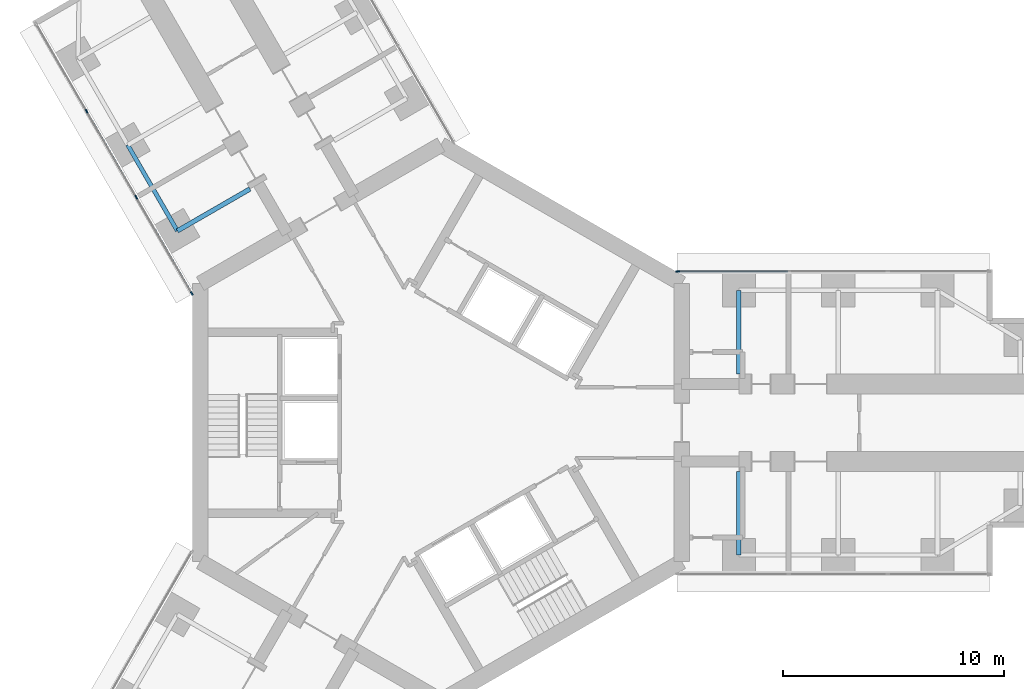
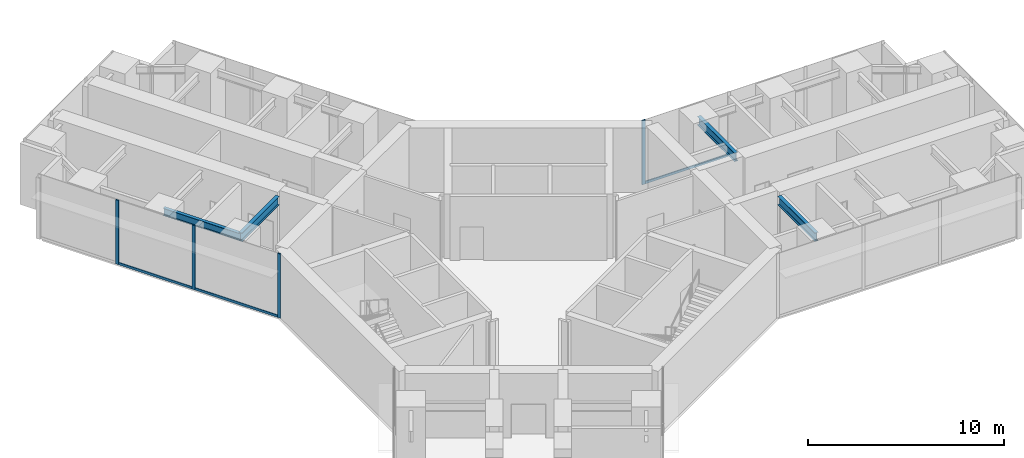
# One storey, part 6 of 23: 7 members, 4 beams, 2 elements without a shape of their own.
"""IFC4 building model written with IfcOpenShell, lengths in metres."""

from ifc_helpers import new_model, si_unit, direction, frame, origin, origin_2d, place, context, subcontext, project, spatial, rectangle, i_section, extrude, material, material_profile, profile_set, type_object, element, aggregate, save


model = new_model("IFC4")

# Units and contexts
model_context = context("Model", 3, precision=1e-05, world=origin(), true_north=direction((0.0, 1.0)))
body_context = subcontext(model_context, "Body", "Model", "MODEL_VIEW")
ifc_project = project(units=[si_unit("LENGTHUNIT", "METRE"), si_unit("AREAUNIT", "SQUARE_METRE"), si_unit("VOLUMEUNIT", "CUBIC_METRE"), si_unit("PLANEANGLEUNIT", "RADIAN"), si_unit("MASSUNIT", "GRAM", prefix="KILO")], contexts=[model_context])

# Site, building, storey
site_placement = place(None, origin())
site = spatial("IfcSite", under=ifc_project, at=site_placement, CompositionType="ELEMENT")
building_placement = place(site_placement, origin())
building = spatial("IfcBuilding", under=site, at=building_placement, Name="Upepo Twin Towers", CompositionType="ELEMENT")
storey_placement = place(building_placement, frame((0.0, 0.0, 28.5)))
storey = spatial("IfcBuildingStorey", under=building, at=storey_placement, Name="L06", CompositionType="ELEMENT", Elevation=28.5)

# Beams
ifc_material_1 = material(Name="Steel S355", Category="steel")
ifc_material_profile_1 = material_profile(ifc_material_1, i_section(OverallWidth=0.1904296875, OverallDepth=0.45703125, WebThickness=0.009033203125, FlangeThickness=0.014404296875, FilletRadius=0.01025390625, at=origin_2d()), Name="UB 457x191x74")
ifc_profile_set_1 = profile_set([ifc_material_profile_1], Name="Steel S355")
beam_type_1 = type_object("IfcBeamType", Name="Beam UB 457x191x74", PredefinedType="BEAM", material=ifc_profile_set_1)
beam_1_placement = place(storey_placement, frame((-11.946044921875, 8.69140625, 3.571533203125), z_axis=(-0.500013631625, 0.866017533419, 0.0), x_axis=(-0.866017533419, -0.500013631625, 0.0)))
element("IfcBeam", 1, at=beam_1_placement, inside=storey, type_object=beam_type_1, Name="T1 edge beam BL 13.5-18.0", PredefinedType="BEAM", context=body_context, shape_type="SweptSolid", body=[
    extrude(i_section(OverallWidth=0.1904296875, OverallDepth=0.45703125, WebThickness=0.009033203125, FlangeThickness=0.014404296875, FilletRadius=0.01025390625, at=origin_2d()), origin(), (0.0, 0.0, 1.0), 4.499755859375),
])
ifc_material_2 = material(Name="Steel S355", Category="steel")
ifc_material_profile_2 = material_profile(ifc_material_2, i_section(OverallWidth=0.209228515625, OverallDepth=0.533203125, WebThickness=0.010009765625, FlangeThickness=0.015625, FilletRadius=0.0126953125, at=origin_2d()), Name="UB 533x210x92")
ifc_profile_set_2 = profile_set([ifc_material_profile_2], Name="Steel S355")
beam_type_2 = type_object("IfcBeamType", Name="Beam UB 533x210x92", PredefinedType="BEAM", material=ifc_profile_set_2)
for number, where, z_axis, x_axis, name in (
    (2, (13.5, 6.0, 3.533447265625), (0.0, -1.0, 0.0), (1.0, 0.0, 0.0), "T1 girder AL at 13.5"),
    (3, (13.5, -6.0, 3.533447265625), (0.0, 1.0, 0.0), (-1.0, 0.0, 0.0), "T1 girder AR at 13.5"),
):
    element("IfcBeam", number, at=place(storey_placement, frame(where, z_axis=z_axis, x_axis=x_axis)), inside=storey, type_object=beam_type_2, Name=name, PredefinedType="BEAM", context=body_context, shape_type="SweptSolid", body=[
        extrude(i_section(OverallWidth=0.209228515625, OverallDepth=0.533203125, WebThickness=0.010009765625, FlangeThickness=0.015625, FilletRadius=0.0126953125, at=origin_2d()), origin(), (0.0, 0.0, 1.0), 3.800048828125),
    ])
beam_2_placement = place(storey_placement, frame((-11.946044921875, 8.69140625, 3.533447265625), z_axis=(0.866028304915, 0.499994975061, 0.0), x_axis=(-0.499994975061, 0.866028304915, 0.0)))
element("IfcBeam", 4, at=beam_2_placement, inside=storey, type_object=beam_type_2, Name="T1 girder BL at 13.5", PredefinedType="BEAM", context=body_context, shape_type="SweptSolid", body=[
    extrude(i_section(OverallWidth=0.209228515625, OverallDepth=0.533203125, WebThickness=0.010009765625, FlangeThickness=0.015625, FilletRadius=0.0126953125, at=origin_2d()), origin(), (0.0, 0.0, 1.0), 3.7998046875),
])

# Curtain wall, member
ifc_material_3 = material(Name="Aluminium and fritted glass", Category="aluminium")
curtain_wall_type = type_object("IfcCurtainWallType", Name="Tower curtain wall TW1, fritted glass", PredefinedType="NOTDEFINED", material=ifc_material_3)
curtain_wall_1_placement = place(storey_placement, origin())
curtain_wall_1 = element("IfcCurtainWall", 5, at=curtain_wall_1_placement, inside=storey, type_object=curtain_wall_type, Name="T1 L06 wing A flank L curtain wall", PredefinedType="NOTDEFINED")
ifc_material_4 = material(Name="Aluminium mullion", Category="aluminium")
ifc_material_profile_3 = material_profile(ifc_material_4, rectangle(XDim=0.06494140625, YDim=0.179931640625, at=origin_2d()), Name="MULLION 65x180")
ifc_profile_set_3 = profile_set([ifc_material_profile_3], Name="Aluminium mullion")
member_type_1 = type_object("IfcMemberType", Name="Mullion 65x180 TW1", PredefinedType="MULLION", material=ifc_profile_set_3)
member_1_placement = place(storey_placement, frame((10.7197265625, 6.85009765625, 0.0), z_axis=(0.0, 0.0, 1.0), x_axis=(0.0, 1.0, 0.0)))
member_1 = element("IfcMember", 6, at=member_1_placement, type_object=member_type_1, Name="T1 L06 wing A flank L curtain wall mullion 1", PredefinedType="MULLION", context=body_context, shape_type="SweptSolid", body=[
    extrude(rectangle(XDim=0.06494140625, YDim=0.179931640625, at=origin_2d()), origin(), (0.0, 0.0, 1.0), 4.0),
])

# Curtain wall, members
curtain_wall_2_placement = place(storey_placement, origin())
curtain_wall_2 = element("IfcCurtainWall", 7, at=curtain_wall_2_placement, inside=storey, type_object=curtain_wall_type, Name="T1 L06 wing B flank L curtain wall", PredefinedType="NOTDEFINED")
member_2_placement = place(storey_placement, frame((-11.2919921875, 5.8583984375, 0.0), z_axis=(0.0, 0.0, 1.0), x_axis=(-0.866025389682, -0.500000024426, 0.0)))
member_2 = element("IfcMember", 8, at=member_2_placement, type_object=member_type_1, Name="T1 L06 wing B flank L curtain wall mullion 1", PredefinedType="MULLION", context=body_context, shape_type="SweptSolid", body=[
    extrude(rectangle(XDim=0.06494140625, YDim=0.179931640625, at=origin_2d()), origin(), (0.0, 0.0, 1.0), 4.0),
])
member_3_placement = place(storey_placement, frame((-13.807373046875, 10.21484375, 0.0), z_axis=(0.0, 0.0, 1.0), x_axis=(-0.866025389682, -0.500000024426, 0.0)))
member_3 = element("IfcMember", 9, at=member_3_placement, type_object=member_type_1, Name="T1 L06 wing B flank L curtain wall mullion 2", PredefinedType="MULLION", context=body_context, shape_type="SweptSolid", body=[
    extrude(rectangle(XDim=0.06494140625, YDim=0.179931640625, at=origin_2d()), origin(), (0.0, 0.0, 1.0), 4.0),
])
member_4_placement = place(storey_placement, frame((-16.057373046875, 14.112060546875, 0.0), z_axis=(0.0, 0.0, 1.0), x_axis=(-0.866025389682, -0.500000024426, 0.0)))
member_4 = element("IfcMember", 10, at=member_4_placement, type_object=member_type_1, Name="T1 L06 wing B flank L curtain wall mullion 3", PredefinedType="MULLION", context=body_context, shape_type="SweptSolid", body=[
    extrude(rectangle(XDim=0.06494140625, YDim=0.179931640625, at=origin_2d()), origin(), (0.0, 0.0, 1.0), 4.0),
])

# Member
ifc_material_5 = material(Name="Aluminium transom", Category="aluminium")
ifc_material_profile_4 = material_profile(ifc_material_5, rectangle(XDim=0.06494140625, YDim=0.14990234375, at=origin_2d()), Name="TRANSOM 65x150")
ifc_profile_set_4 = profile_set([ifc_material_profile_4], Name="Aluminium transom")
member_type_2 = type_object("IfcMemberType", Name="Transom 65x150 TW1", PredefinedType="USERDEFINED", material=ifc_profile_set_4)
member_5_placement = place(storey_placement, frame((10.752197265625, 6.85009765625, 0.074951171875), z_axis=(1.0, 0.0, 0.0), x_axis=(0.0, 1.0, 0.0)))
member_5 = element("IfcMember", 11, at=member_5_placement, type_object=member_type_2, Name="T1 L06 wing A flank L curtain wall transom 1", ObjectType="TRANSOM", PredefinedType="USERDEFINED", context=body_context, shape_type="SweptSolid", body=[
    extrude(rectangle(XDim=0.06494140625, YDim=0.14990234375, at=origin_2d()), origin(), (0.0, 0.0, 1.0), 4.96533203125),
])

aggregate(curtain_wall_1, [member_1, member_5])

member_6_placement = place(storey_placement, frame((-11.308349609375, 5.88671875, 0.074951171875), z_axis=(-0.50000478328, 0.866022642139, 0.0), x_axis=(-0.866022642139, -0.50000478328, 0.0)))
member_6 = element("IfcMember", 12, at=member_6_placement, type_object=member_type_2, Name="T1 L06 wing B flank L curtain wall transom 1", ObjectType="TRANSOM", PredefinedType="USERDEFINED", context=body_context, shape_type="SweptSolid", body=[
    extrude(rectangle(XDim=0.06494140625, YDim=0.14990234375, at=origin_2d()), origin(), (0.0, 0.0, 1.0), 4.96533203125),
])

member_7_placement = place(storey_placement, frame((-13.823486328125, 10.2431640625, 0.074951171875), z_axis=(-0.500005184116, 0.866022410713, 0.0), x_axis=(-0.866022410713, -0.500005184116, 0.0)))
member_7 = element("IfcMember", 13, at=member_7_placement, type_object=member_type_2, Name="T1 L06 wing B flank L curtain wall transom 2", ObjectType="TRANSOM", PredefinedType="USERDEFINED", context=body_context, shape_type="SweptSolid", body=[
    extrude(rectangle(XDim=0.06494140625, YDim=0.14990234375, at=origin_2d()), origin(), (0.0, 0.0, 1.0), 4.43505859375),
])

aggregate(curtain_wall_2, [member_2, member_3, member_4, member_6, member_7])

save(model, "model.ifc")
